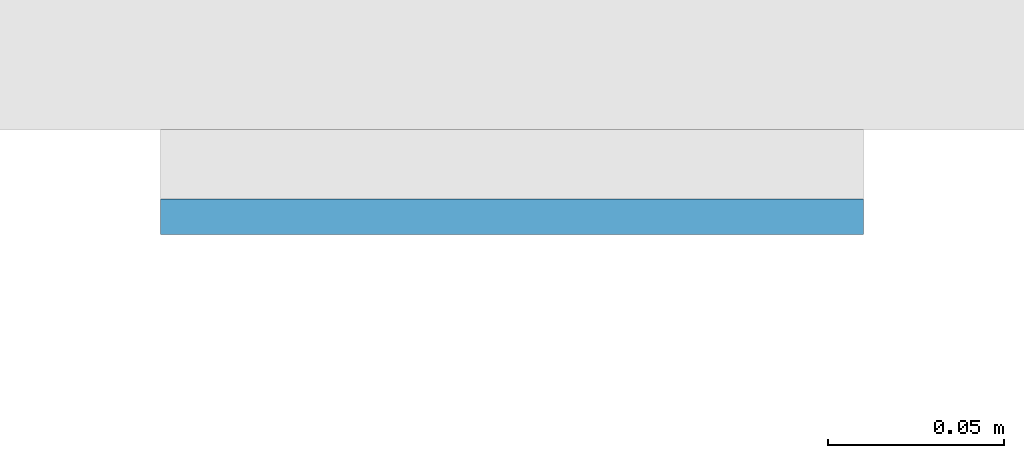
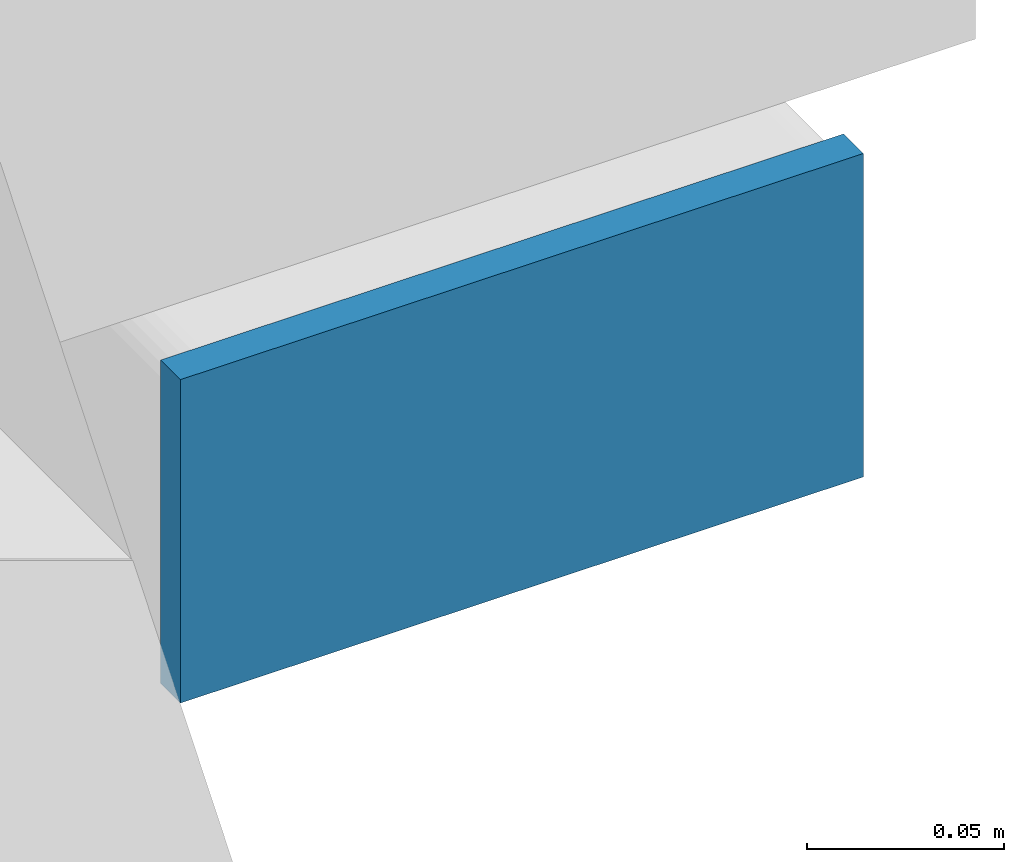
# One storey, part 10 of 20: 1 plate.
"""IFC4 building model written with IfcOpenShell, lengths in metres."""

from ifc_helpers import new_model, si_unit, direction, frame, origin, origin_2d, place, context, subcontext, project, spatial, rectangle, extrude, material, layer, layer_set, type_object, element, save


model = new_model("IFC4")

# Units and contexts
model_context = context("Model", 3, precision=1e-05, world=origin(), true_north=direction((0.0, 1.0)))
body_context = subcontext(model_context, "Body", "Model", "MODEL_VIEW")
ifc_project = project(units=[si_unit("LENGTHUNIT", "METRE"), si_unit("AREAUNIT", "SQUARE_METRE"), si_unit("VOLUMEUNIT", "CUBIC_METRE"), si_unit("PLANEANGLEUNIT", "RADIAN"), si_unit("MASSUNIT", "GRAM", prefix="KILO")], contexts=[model_context])

# Site, building, storey
site_placement = place(None, origin())
site = spatial("IfcSite", under=ifc_project, at=site_placement, CompositionType="ELEMENT")
building_placement = place(site_placement, origin())
building = spatial("IfcBuilding", under=site, at=building_placement, Name="Cleftline Residences", CompositionType="ELEMENT")
storey_placement = place(building_placement, frame((0.0, 0.0, 103.39990234375)))
storey = spatial("IfcBuildingStorey", under=building, at=storey_placement, Name="L26", CompositionType="ELEMENT", Elevation=103.39990234375)

# Plate
ifc_material = material(Name="Steel S355, hot-dip galvanised", Category="steel")
ifc_layer = layer(ifc_material, 0.010009765625)
ifc_layer_set = layer_set([ifc_layer], Name="BAGUETTE CARRIER END PLATE 200X100X10")
plate_type = type_object("IfcPlateType", Name="BAGUETTE CARRIER END PLATE 200X100X10", PredefinedType="USERDEFINED", material=ifc_layer_set)
plate_placement = place(storey_placement, frame((66.85009765625, 3.695068359375, -0.099853515625), z_axis=(0.0, 0.0, 1.0), x_axis=(1.0, 0.0, 0.0)))
element("IfcPlate", 1, at=plate_placement, inside=storey, type_object=plate_type, Name="Baguette carrier end plate", ObjectType="BAGUETTE CARRIER END PLATE", PredefinedType="USERDEFINED", context=body_context, shape_type="SweptSolid", body=[
    extrude(rectangle(XDim=0.199951171875, YDim=0.010009765625, at=origin_2d()), origin(), (0.0, 0.0, 1.0), 0.10009765625),
])

save(model, "model.ifc")
